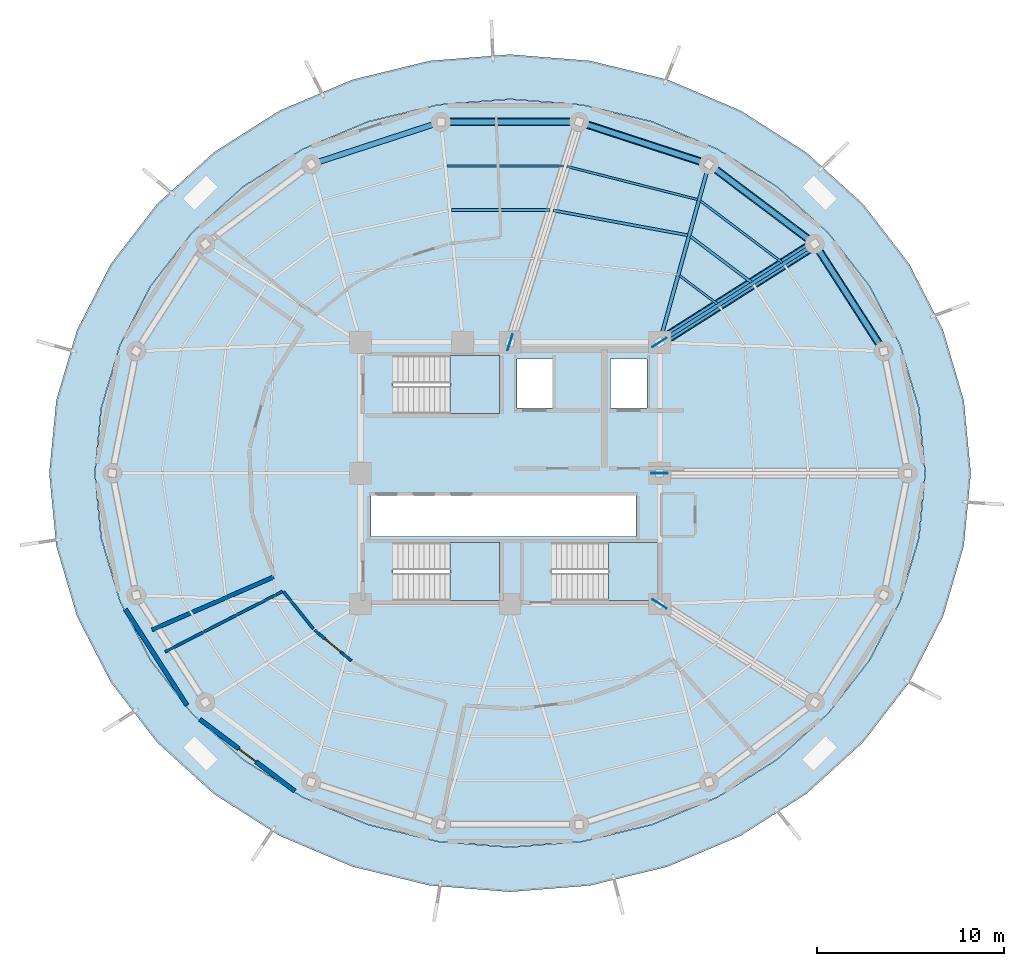
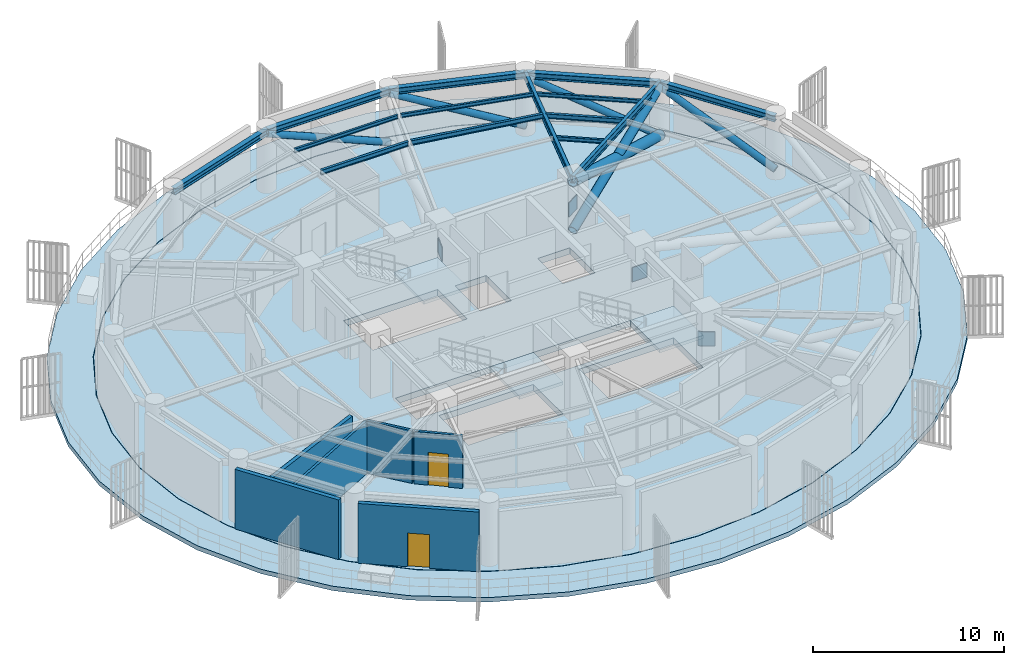
# One storey, part 3 of 10: 14 beams, 6 members, 6 walls, 5 slabs, 4 plates, 2 doors, 2 openings, 3 elements without a shape of their own.
"""IFC4 building model written with IfcOpenShell, lengths in metres."""

import ifcopenshell
import ifcopenshell.guid

model = None  # the IFC model being written
_history = None  # IfcOwnerHistory: only IFC2X3 demands one
_inside = {}  # id of a spatial element -> (the spatial element, [elements in it])
_under = {}  # id of a project, library or spatial element -> (it, [spatial elements below it])
_declared = {}  # id of a project -> (the project, [libraries it declares])
_typed = {}  # id of a type object -> (the type object, [elements of that type])
_made_of = {}  # id of a material, layer set ... -> (it, [elements and type objects made of it])


def new_model(schema):
    """Start an empty IFC model of exactly this schema.

    Asked for "IFC4X3", IfcOpenShell would pick the latest addendum, in which some entities
    have other attributes; the version numbers below select the first issue.
    IFC2X3 requires an IfcOwnerHistory on every rooted entity: one is made here for all.
    """
    global model, _history
    if schema == "IFC4X3":
        model = ifcopenshell.file(schema_version=(4, 3, 0, 0))
    else:
        model = ifcopenshell.file(schema=schema)
    _inside.clear()
    _under.clear()
    _declared.clear()
    _typed.clear()
    _made_of.clear()
    _history = None
    if model.schema == "IFC2X3":
        org = make("IfcOrganization", Name="unknown")
        user = make(
            "IfcPersonAndOrganization",
            ThePerson=make("IfcPerson", FamilyName="unknown"),
            TheOrganization=org,
        )
        app = make(
            "IfcApplication",
            ApplicationDeveloper=org,
            Version="unknown",
            ApplicationFullName="unknown",
            ApplicationIdentifier="unknown",
        )
        _history = make(
            "IfcOwnerHistory",
            OwningUser=user,
            OwningApplication=app,
            ChangeAction="ADDED",
            CreationDate=0,
        )
    return model


def make(cls, **values):
    """One entity of the class cls with the attributes given. An attribute that is None is left unset."""
    return model.create_entity(
        cls, **{name: value for name, value in values.items() if value is not None}
    )


def rooted(cls, **values):
    """An entity with a GlobalId (a new one), such as an element, a storey or a relation."""
    return make(cls, GlobalId=ifcopenshell.guid.new(), OwnerHistory=_history, **values)


def si_unit(unit_type, name, prefix=None):
    """IfcSIUnit, for example si_unit("LENGTHUNIT", "METRE", prefix="MILLI")."""
    return make("IfcSIUnit", UnitType=unit_type, Prefix=prefix, Name=name)


def assignment(units):
    """IfcUnitAssignment: the units of a project."""
    return None if units is None else make("IfcUnitAssignment", Units=units)


def point(xyz):
    """IfcCartesianPoint."""
    return None if xyz is None else make("IfcCartesianPoint", Coordinates=xyz)


def direction(xyz):
    """IfcDirection."""
    return None if xyz is None else make("IfcDirection", DirectionRatios=xyz)


def frame(location, z_axis=None, x_axis=None):
    """IfcAxis2Placement3D, a coordinate frame: its origin and axes. An axis left out is left unset."""
    return make(
        "IfcAxis2Placement3D",
        Location=point(location),
        Axis=direction(z_axis),
        RefDirection=direction(x_axis),
    )


def frame_2d(location, x_axis=None):
    """IfcAxis2Placement2D, a coordinate frame in the plane: its origin and x axis."""
    return make(
        "IfcAxis2Placement2D", Location=point(location), RefDirection=direction(x_axis)
    )


def origin():
    """The frame at (0, 0, 0) with its axes left unset."""
    return frame((0.0, 0.0, 0.0))


def origin_2d():
    """The frame at (0, 0) in the plane with its x axis left unset."""
    return frame_2d((0.0, 0.0))


def place(relative_to, where):
    """IfcLocalPlacement: puts the frame where relative to a parent placement (None: the world)."""
    return make(
        "IfcLocalPlacement", PlacementRelTo=relative_to, RelativePlacement=where
    )


def context(
    kind, dimensions, precision=None, world=None, true_north=None, identifier=None
):
    """IfcGeometricRepresentationContext, for example the 3D "Model" context."""
    return make(
        "IfcGeometricRepresentationContext",
        ContextIdentifier=identifier,
        ContextType=kind,
        CoordinateSpaceDimension=dimensions,
        Precision=precision,
        WorldCoordinateSystem=world,
        TrueNorth=true_north,
    )


def subcontext(parent, identifier, kind, view, scale=None):
    """IfcGeometricRepresentationSubContext, for example "Body" below "Model"."""
    return make(
        "IfcGeometricRepresentationSubContext",
        ContextIdentifier=identifier,
        ContextType=kind,
        ParentContext=parent,
        TargetScale=scale,
        TargetView=view,
    )


def project(units=None, contexts=None):
    """IfcProject with its units and contexts."""
    return rooted(
        "IfcProject",
        Name="project",
        RepresentationContexts=contexts,
        UnitsInContext=assignment(units),
    )


def spatial(cls, under=None, at=None, **own):
    """A site, building, storey or space (cls), placed at a placement, below another one or the project."""
    s = rooted(cls, ObjectPlacement=at, **own)
    if under is not None:
        _under.setdefault(under.id(), (under, []))[1].append(s)
    return s


def polyline(points):
    """IfcPolyline through the points."""
    return make("IfcPolyline", Points=[point(p) for p in points])


def profile(cls, at=None, kind="AREA", **sizes):
    """A parametric profile (cls). Its sizes go by their IFC names, for example OverallWidth=200.0."""
    return make(cls, ProfileType=kind, Position=at, **sizes)


def rectangle(**sizes):
    """IfcRectangleProfileDef."""
    return profile("IfcRectangleProfileDef", **sizes)


def hollow_circle(**sizes):
    """IfcCircleHollowProfileDef."""
    return profile("IfcCircleHollowProfileDef", **sizes)


def i_section(**sizes):
    """IfcIShapeProfileDef."""
    return profile("IfcIShapeProfileDef", **sizes)


def outline(outer, holes=None, kind="AREA"):
    """IfcArbitraryClosedProfileDef: a profile drawn as a closed curve; with holes, ...WithVoids."""
    if holes is None:
        return make("IfcArbitraryClosedProfileDef", ProfileType=kind, OuterCurve=outer)
    return make(
        "IfcArbitraryProfileDefWithVoids",
        ProfileType=kind,
        OuterCurve=outer,
        InnerCurves=holes,
    )


def extrude(swept, where, along, depth):
    """IfcExtrudedAreaSolid: the profile swept, set in the frame where, extruded along a direction by depth."""
    return make(
        "IfcExtrudedAreaSolid",
        SweptArea=swept,
        Position=where,
        ExtrudedDirection=direction(along),
        Depth=depth,
    )


def shape(context_of_items, identifier, shape_type, items):
    """IfcShapeRepresentation: the items that make up one representation, for example the "Body"."""
    return make(
        "IfcShapeRepresentation",
        ContextOfItems=context_of_items,
        RepresentationIdentifier=identifier,
        RepresentationType=shape_type,
        Items=items,
    )


def source(mapping_origin, context_of_items, identifier, shape_type, items):
    """IfcRepresentationMap: a shape defined once, which mapped items show again and again."""
    return make(
        "IfcRepresentationMap",
        MappingOrigin=mapping_origin,
        MappedRepresentation=shape(context_of_items, identifier, shape_type, items),
    )


def transform(
    local_origin,
    x_axis=None,
    y_axis=None,
    z_axis=None,
    scale=None,
    scale2=None,
    scale3=None,
    uniform=True,
):
    """IfcCartesianTransformationOperator3D, or its non-uniform kind. x_axis, y_axis, z_axis: its Axis1, 2, 3."""
    if uniform:
        return make(
            "IfcCartesianTransformationOperator3D",
            Axis1=direction(x_axis),
            Axis2=direction(y_axis),
            LocalOrigin=point(local_origin),
            Scale=scale,
            Axis3=direction(z_axis),
        )
    return make(
        "IfcCartesianTransformationOperator3DnonUniform",
        Axis1=direction(x_axis),
        Axis2=direction(y_axis),
        LocalOrigin=point(local_origin),
        Scale=scale,
        Axis3=direction(z_axis),
        Scale2=scale2,
        Scale3=scale3,
    )


def mapped(mapping_source, mapping_target):
    """IfcMappedItem: shows the shape of a source again, moved by a transform."""
    return make(
        "IfcMappedItem", MappingSource=mapping_source, MappingTarget=mapping_target
    )


def material(Name=None, Category=None):
    """IfcMaterial."""
    return make("IfcMaterial", Name=Name, Category=Category)


def layer(
    of_material, thickness, ventilated=None, Name=None, Category=None, Priority=None
):
    """IfcMaterialLayer: one layer of a wall or slab, of a material (None: an air gap)."""
    return make(
        "IfcMaterialLayer",
        Material=of_material,
        LayerThickness=thickness,
        IsVentilated=ventilated,
        Name=Name,
        Category=Category,
        Priority=Priority,
    )


def layer_set(layers, Name=None):
    """IfcMaterialLayerSet."""
    return make("IfcMaterialLayerSet", MaterialLayers=layers, LayerSetName=Name)


def material_profile(
    of_material, cross_section, Name=None, Category=None, Priority=None
):
    """IfcMaterialProfile: a cross section and its material."""
    return make(
        "IfcMaterialProfile",
        Name=Name,
        Material=of_material,
        Profile=cross_section,
        Priority=Priority,
        Category=Category,
    )


def profile_set(profiles, Name=None, composite=None):
    """IfcMaterialProfileSet."""
    return make(
        "IfcMaterialProfileSet",
        Name=Name,
        MaterialProfiles=profiles,
        CompositeProfile=composite,
    )


def made_of(thing, what):
    """Note that an element or type object is made of a material, layer set ...; save() writes the relation."""
    if what is not None:
        _made_of.setdefault(what.id(), (what, []))[1].append(thing)
    return thing


def type_object(cls, material=None, **own):
    """A type object (cls), such as IfcWallType, which elements share."""
    return made_of(rooted(cls, **own), material)


def element(
    cls,
    number,
    at=None,
    inside=None,
    cuts=None,
    type_object=None,
    material=None,
    context=None,
    identifier="Body",
    shape_type=None,
    held_by="IfcProductDefinitionShape",
    body=None,
    shapes=None,
    **own,
):
    """One element of the class cls, such as IfcWall. Its Tag is "e" and its number.

    at: its placement. inside: the storey or other place that contains it. cuts: it is an
    opening in that element (IfcRelVoidsElement). A single representation is given by context,
    identifier, shape_type and body (its items); several are given by shapes. held_by: the class
    of the entity that holds the representations. save() writes the other relations.
    """
    e = rooted(cls, Tag="e%d" % number, ObjectPlacement=at, **own)
    if body is not None:
        shapes = [shape(context, identifier, shape_type, body)]
    if shapes is not None:
        e.Representation = make(held_by, Representations=shapes)
    if inside is not None:
        _inside.setdefault(inside.id(), (inside, []))[1].append(e)
    if cuts is not None:
        rooted(
            "IfcRelVoidsElement", RelatingBuildingElement=cuts, RelatedOpeningElement=e
        )
    if type_object is not None:
        _typed.setdefault(type_object.id(), (type_object, []))[1].append(e)
    return made_of(e, material)


def fill(opening, filler):
    """IfcRelFillsElement: the door or window that sits in an opening."""
    return rooted(
        "IfcRelFillsElement",
        RelatingOpeningElement=opening,
        RelatedBuildingElement=filler,
    )


def aggregate(whole, parts):
    """IfcRelAggregates: a whole, such as a stair, and the parts it consists of."""
    return rooted("IfcRelAggregates", RelatingObject=whole, RelatedObjects=parts)


def save(model, path):
    """Write the relations noted so far, then the file.

    IfcRelAggregates (storeys below a building ...), IfcRelContainedInSpatialStructure (elements
    in a storey), IfcRelDefinesByType, IfcRelAssociatesMaterial and IfcRelDeclares: one each for
    every whole, place, type object, material and project.
    """
    for whole, parts in _under.values():
        aggregate(whole, parts)
    for where, things in _inside.values():
        rooted(
            "IfcRelContainedInSpatialStructure",
            RelatedElements=things,
            RelatingStructure=where,
        )
    for kind, things in _typed.values():
        rooted("IfcRelDefinesByType", RelatedObjects=things, RelatingType=kind)
    for what, things in _made_of.values():
        rooted("IfcRelAssociatesMaterial", RelatedObjects=things, RelatingMaterial=what)
    for by, libraries in _declared.values():
        rooted("IfcRelDeclares", RelatingContext=by, RelatedDefinitions=libraries)
    model.write(path)


model = new_model("IFC4")

# Units and contexts
model_context = context("Model", 3, precision=1e-05, world=origin(), true_north=direction((0.0, 1.0)))
body_context = subcontext(model_context, "Body", "Model", "MODEL_VIEW")
ifc_project = project(units=[si_unit("LENGTHUNIT", "METRE"), si_unit("AREAUNIT", "SQUARE_METRE"), si_unit("VOLUMEUNIT", "CUBIC_METRE"), si_unit("PLANEANGLEUNIT", "RADIAN"), si_unit("MASSUNIT", "GRAM", prefix="KILO")], contexts=[model_context])

# Site, building, storey
site_placement = place(None, origin())
site = spatial("IfcSite", under=ifc_project, at=site_placement, CompositionType="ELEMENT")
building_placement = place(site_placement, origin())
building = spatial("IfcBuilding", under=site, at=building_placement, Name="Kelanora Arch Commons", CompositionType="ELEMENT")
storey_placement = place(building_placement, frame((0.0, 0.0, 189.110107421875)))
storey = spatial("IfcBuildingStorey", under=building, at=storey_placement, Name="L48", CompositionType="ELEMENT", Elevation=189.110107421875)

# Beams
ifc_material_1 = material(Name="Steel S355", Category="steel")
ifc_material_profile_1 = material_profile(ifc_material_1, i_section(OverallWidth=0.14990234375, OverallDepth=0.300048828125, WebThickness=0.007080078125, FlangeThickness=0.0107421875, FilletRadius=0.014892578125, at=origin_2d()), Name="IPE300")
ifc_profile_set_1 = profile_set([ifc_material_profile_1], Name="Steel S355")
beam_type_1 = type_object("IfcBeamType", Name="BM-JST-01", PredefinedType="JOIST", material=ifc_profile_set_1)
beam_1_placement = place(storey_placement, frame((86.912841796875, 68.209716796875, 3.679931640625), z_axis=(-0.799101708656, 0.601195857624, 0.0), x_axis=(-0.601195857624, -0.799101708656, 0.0)))
element("IfcBeam", 1, at=beam_1_placement, inside=storey, type_object=beam_type_1, Name="Secondary Chord Joist BJB-04 L48", PredefinedType="JOIST", context=body_context, shape_type="SweptSolid", body=[
    extrude(i_section(OverallWidth=0.14990234375, OverallDepth=0.300048828125, WebThickness=0.007080078125, FlangeThickness=0.0107421875, FilletRadius=0.014892578125, at=origin_2d()), origin(), (0.0, 0.0, 1.0), 4.080810546875),
])
beam_2_placement = place(storey_placement, frame((83.50048828125, 70.729736328125, 3.679931640625), z_axis=(-0.983389964671, 0.181505309519, 0.0), x_axis=(-0.181505309519, -0.983389964671, 0.0)))
element("IfcBeam", 2, at=beam_2_placement, inside=storey, type_object=beam_type_1, Name="Secondary Chord Joist BJB-06 L48", PredefinedType="JOIST", context=body_context, shape_type="SweptSolid", body=[
    extrude(i_section(OverallWidth=0.14990234375, OverallDepth=0.300048828125, WebThickness=0.007080078125, FlangeThickness=0.0107421875, FilletRadius=0.014892578125, at=origin_2d()), origin(), (0.0, 0.0, 1.0), 7.3212890625),
])
beam_3_placement = place(storey_placement, frame((76.132080078125, 72.07421875, 3.679931640625), z_axis=(-1.0, 0.0, 0.0), x_axis=(0.0, -1.0, 0.0)))
element("IfcBeam", 3, at=beam_3_placement, inside=storey, type_object=beam_type_1, Name="Secondary Chord Joist BJB-08 L48", PredefinedType="JOIST", context=body_context, shape_type="SweptSolid", body=[
    extrude(i_section(OverallWidth=0.14990234375, OverallDepth=0.300048828125, WebThickness=0.007080078125, FlangeThickness=0.0107421875, FilletRadius=0.014892578125, at=origin_2d()), origin(), (0.0, 0.0, 1.0), 5.272216796875),
])
ifc_material_profile_2 = material_profile(ifc_material_1, i_section(OverallWidth=0.1201171875, OverallDepth=0.239990234375, WebThickness=0.006103515625, FlangeThickness=0.009765625, FilletRadius=0.014892578125, at=origin_2d()), Name="IPE240")
ifc_profile_set_2 = profile_set([ifc_material_profile_2], Name="Steel S355")
beam_type_2 = type_object("IfcBeamType", Name="BM-JST-02", PredefinedType="JOIST", material=ifc_profile_set_2)
beam_4_placement = place(storey_placement, frame((85.086669921875, 67.051513671875, 3.7099609375), z_axis=(-0.79911638933, 0.601176343766, 0.0), x_axis=(-0.601176343766, -0.79911638933, 0.0)))
element("IfcBeam", 4, at=beam_4_placement, inside=storey, type_object=beam_type_2, Name="Secondary Chord Joist BJA-04 L48", PredefinedType="JOIST", context=body_context, shape_type="SweptSolid", body=[
    extrude(i_section(OverallWidth=0.1201171875, OverallDepth=0.239990234375, WebThickness=0.006103515625, FlangeThickness=0.009765625, FilletRadius=0.014892578125, at=origin_2d()), origin(), (0.0, 0.0, 1.0), 2.522216796875),
])
beam_5_placement = place(storey_placement, frame((88.5732421875, 69.2626953125, 3.7099609375), z_axis=(-0.799109197935, 0.601185902842, 0.0), x_axis=(-0.601185902842, -0.799109197935, 0.0)))
element("IfcBeam", 5, at=beam_5_placement, inside=storey, type_object=beam_type_2, Name="Secondary Chord Joist BJC-04 L48", PredefinedType="JOIST", context=body_context, shape_type="SweptSolid", body=[
    extrude(i_section(OverallWidth=0.1201171875, OverallDepth=0.239990234375, WebThickness=0.006103515625, FlangeThickness=0.009765625, FilletRadius=0.014892578125, at=origin_2d()), origin(), (0.0, 0.0, 1.0), 5.497802734375),
])
beam_6_placement = place(storey_placement, frame((84.029541015625, 72.639892578125, 3.7099609375), z_axis=(-0.969370989998, 0.245601066263, 0.0), x_axis=(-0.245601066263, -0.969370989998, 0.0)))
element("IfcBeam", 6, at=beam_6_placement, inside=storey, type_object=beam_type_2, Name="Secondary Chord Joist BJC-06 L48", PredefinedType="JOIST", context=body_context, shape_type="SweptSolid", body=[
    extrude(i_section(OverallWidth=0.1201171875, OverallDepth=0.239990234375, WebThickness=0.006103515625, FlangeThickness=0.009765625, FilletRadius=0.014892578125, at=origin_2d()), origin(), (0.0, 0.0, 1.0), 7.2119140625),
])
beam_7_placement = place(storey_placement, frame((76.87109375, 74.43212890625, 3.7099609375), z_axis=(-1.0, 0.0, 0.0), x_axis=(0.0, -1.0, 0.0)))
element("IfcBeam", 7, at=beam_7_placement, inside=storey, type_object=beam_type_2, Name="Secondary Chord Joist BJC-08 L48", PredefinedType="JOIST", context=body_context, shape_type="SweptSolid", body=[
    extrude(i_section(OverallWidth=0.1201171875, OverallDepth=0.239990234375, WebThickness=0.006103515625, FlangeThickness=0.009765625, FilletRadius=0.014892578125, at=origin_2d()), origin(), (0.0, 0.0, 1.0), 6.246337890625),
])
ifc_material_profile_3 = material_profile(ifc_material_1, i_section(OverallWidth=0.18994140625, OverallDepth=0.449951171875, WebThickness=0.009521484375, FlangeThickness=0.0146484375, FilletRadius=0.02099609375, at=origin_2d()), Name="IPE450")
ifc_profile_set_3 = profile_set([ifc_material_profile_3], Name="Steel S355")
beam_type_3 = type_object("IfcBeamType", Name="BM-RAD-Z4", PredefinedType="BEAM", material=ifc_profile_set_3)
beam_8_placement = place(storey_placement, frame((82.0, 65.0, 3.60498046875), z_axis=(0.844507208607, 0.535544185489, 0.0), x_axis=(-0.535544185489, 0.844507208607, 0.0)))
element("IfcBeam", 8, at=beam_8_placement, inside=storey, type_object=beam_type_3, Name="Radial Floor Girder BR-04 L48", PredefinedType="BEAM", context=body_context, shape_type="SweptSolid", body=[
    extrude(i_section(OverallWidth=0.18994140625, OverallDepth=0.449951171875, WebThickness=0.009521484375, FlangeThickness=0.0146484375, FilletRadius=0.02099609375, at=origin_2d()), origin(), (0.0, 0.0, 1.0), 9.830078125),
])
beam_9_placement = place(storey_placement, frame((82.0, 65.0, 3.60498046875), z_axis=(0.267120164296, 0.963663228429, 0.0), x_axis=(-0.963663228429, 0.267120164296, 0.0)))
element("IfcBeam", 9, at=beam_9_placement, inside=storey, type_object=beam_type_3, Name="Radial Floor Girder BR-06 L48", PredefinedType="BEAM", context=body_context, shape_type="SweptSolid", body=[
    extrude(i_section(OverallWidth=0.18994140625, OverallDepth=0.449951171875, WebThickness=0.009521484375, FlangeThickness=0.0146484375, FilletRadius=0.02099609375, at=origin_2d()), origin(), (0.0, 0.0, 1.0), 9.8828125),
])
ifc_material_profile_4 = material_profile(ifc_material_1, i_section(OverallWidth=0.300048828125, OverallDepth=0.39990234375, WebThickness=0.013427734375, FlangeThickness=0.02392578125, FilletRadius=0.027099609375, at=origin_2d()), Name="HEB400")
ifc_profile_set_4 = profile_set([ifc_material_profile_4], Name="Steel S355")
beam_type_4 = type_object("IfcBeamType", Name="BM-SPN-Z4", PredefinedType="SPANDREL", material=ifc_profile_set_4)
beam_10_placement = place(storey_placement, frame((93.99658203125, 64.525634765625, 3.6298828125), z_axis=(-0.541364878868, 0.840787766281, 0.0), x_axis=(-0.840787766281, -0.541364878868, 0.0)))
element("IfcBeam", 10, at=beam_10_placement, inside=storey, type_object=beam_type_4, Name="Perimeter Spandrel Beam BS-02 L48", PredefinedType="SPANDREL", context=body_context, shape_type="SweptSolid", body=[
    extrude(i_section(OverallWidth=0.300048828125, OverallDepth=0.39990234375, WebThickness=0.013427734375, FlangeThickness=0.02392578125, FilletRadius=0.027099609375, at=origin_2d()), origin(), (0.0, 0.0, 1.0), 6.825439453125),
])
beam_11_placement = place(storey_placement, frame((90.301513671875, 70.264404296875, 3.6298828125), z_axis=(-0.799114211715, 0.60117923836, 0.0), x_axis=(-0.60117923836, -0.799114211715, 0.0)))
element("IfcBeam", 11, at=beam_11_placement, inside=storey, type_object=beam_type_4, Name="Perimeter Spandrel Beam BS-04 L48", PredefinedType="SPANDREL", context=body_context, shape_type="SweptSolid", body=[
    extrude(i_section(OverallWidth=0.300048828125, OverallDepth=0.39990234375, WebThickness=0.013427734375, FlangeThickness=0.02392578125, FilletRadius=0.027099609375, at=origin_2d()), origin(), (0.0, 0.0, 1.0), 7.0849609375),
])
beam_12_placement = place(storey_placement, frame((84.639892578125, 74.523681640625, 3.6298828125), z_axis=(-0.950656361143, 0.310245842872, 0.0), x_axis=(-0.310245842872, -0.950656361143, 0.0)))
element("IfcBeam", 12, at=beam_12_placement, inside=storey, type_object=beam_type_4, Name="Perimeter Spandrel Beam BS-06 L48", PredefinedType="SPANDREL", context=body_context, shape_type="SweptSolid", body=[
    extrude(i_section(OverallWidth=0.300048828125, OverallDepth=0.39990234375, WebThickness=0.013427734375, FlangeThickness=0.02392578125, FilletRadius=0.027099609375, at=origin_2d()), origin(), (0.0, 0.0, 1.0), 7.304931640625),
])
beam_13_placement = place(storey_placement, frame((77.6953125, 76.7900390625, 3.6298828125), z_axis=(-1.0, 0.0, 0.0), x_axis=(0.0, -1.0, 0.0)))
element("IfcBeam", 13, at=beam_13_placement, inside=storey, type_object=beam_type_4, Name="Perimeter Spandrel Beam BS-08 L48", PredefinedType="SPANDREL", context=body_context, shape_type="SweptSolid", body=[
    extrude(i_section(OverallWidth=0.300048828125, OverallDepth=0.39990234375, WebThickness=0.013427734375, FlangeThickness=0.02392578125, FilletRadius=0.027099609375, at=origin_2d()), origin(), (0.0, 0.0, 1.0), 7.390625),
])
beam_14_placement = place(storey_placement, frame((70.3046875, 76.7900390625, 3.6298828125), z_axis=(-0.950656361143, -0.310245842872, 0.0), x_axis=(0.310245842872, -0.950656361143, 0.0)))
element("IfcBeam", 14, at=beam_14_placement, inside=storey, type_object=beam_type_4, Name="Perimeter Spandrel Beam BS-10 L48", PredefinedType="SPANDREL", context=body_context, shape_type="SweptSolid", body=[
    extrude(i_section(OverallWidth=0.300048828125, OverallDepth=0.39990234375, WebThickness=0.013427734375, FlangeThickness=0.02392578125, FilletRadius=0.027099609375, at=origin_2d()), origin(), (0.0, 0.0, 1.0), 7.304931640625),
])

# Members
ifc_material_profile_5 = material_profile(ifc_material_1, hollow_circle(Radius=0.203125, WallThickness=0.02001953125, at=origin_2d()), Name="CHS406.4x20")
ifc_profile_set_5 = profile_set([ifc_material_profile_5], Name="Steel S355")
member_type_1 = type_object("IfcMemberType", Name="MEM-BELT-DIAG", PredefinedType="BRACE", material=ifc_profile_set_5)
member_1_placement = place(storey_placement, frame((93.99658203125, 64.525634765625, 0.349853515625), z_axis=(-0.492086938598, 0.764254745866, 0.416851446301), x_axis=(-0.840787766281, -0.541364878868, 0.0)))
element("IfcMember", 15, at=member_1_placement, inside=storey, type_object=member_type_1, Name="Belt Truss Diagonal MB-02 L48", PredefinedType="BRACE", context=body_context, shape_type="SweptSolid", body=[
    extrude(hollow_circle(Radius=0.203125, WallThickness=0.02001953125, at=origin_2d()), origin(), (0.0, 0.0, 1.0), 7.509033203125),
])
member_2_placement = place(storey_placement, frame((90.301513671875, 70.264404296875, 0.349853515625), z_axis=(-0.730954222273, 0.549901999214, 0.404120917799), x_axis=(-0.60117923836, -0.799114211715, 0.0)))
element("IfcMember", 16, at=member_2_placement, inside=storey, type_object=member_type_1, Name="Belt Truss Diagonal MB-04 L48", PredefinedType="BRACE", context=body_context, shape_type="SweptSolid", body=[
    extrude(hollow_circle(Radius=0.203125, WallThickness=0.02001953125, at=origin_2d()), origin(), (0.0, 0.0, 1.0), 7.74560546875),
])
member_3_placement = place(storey_placement, frame((84.639892578125, 74.523681640625, 0.349853515625), z_axis=(-0.873817195322, 0.285169450665, 0.393855168262), x_axis=(-0.310245842872, -0.950656361143, 0.0)))
element("IfcMember", 17, at=member_3_placement, inside=storey, type_object=member_type_1, Name="Belt Truss Diagonal MB-06 L48", PredefinedType="BRACE", context=body_context, shape_type="SweptSolid", body=[
    extrude(hollow_circle(Radius=0.203125, WallThickness=0.02001953125, at=origin_2d()), origin(), (0.0, 0.0, 1.0), 7.947509765625),
])
member_4_placement = place(storey_placement, frame((77.6953125, 76.7900390625, 0.349853515625), z_axis=(-0.920818566361, 0.0, 0.389991240728), x_axis=(0.0, -1.0, 0.0)))
element("IfcMember", 18, at=member_4_placement, inside=storey, type_object=member_type_1, Name="Belt Truss Diagonal MB-08 L48", PredefinedType="BRACE", context=body_context, shape_type="SweptSolid", body=[
    extrude(hollow_circle(Radius=0.203125, WallThickness=0.02001953125, at=origin_2d()), origin(), (0.0, 0.0, 1.0), 8.026123046875),
])
ifc_material_profile_6 = material_profile(ifc_material_1, hollow_circle(Radius=0.304931640625, WallThickness=0.030029296875, at=origin_2d()), Name="CHS610x30")
ifc_profile_set_6 = profile_set([ifc_material_profile_6], Name="Steel S355")
member_type_2 = type_object("IfcMemberType", Name="MEM-OUT-CHORD", PredefinedType="CHORD", material=ifc_profile_set_6)
member_5_placement = place(storey_placement, frame((82.0, 65.0, 3.47998046875), z_axis=(0.804695982671, 0.510297899431, -0.303414616176), x_axis=(-0.535544185489, 0.844507208607, 0.0)))
element("IfcMember", 19, at=member_5_placement, inside=storey, type_object=member_type_2, Name="Outrigger Counter-Brace MO-04B L48", PredefinedType="CHORD", context=body_context, shape_type="SweptSolid", body=[
    extrude(hollow_circle(Radius=0.304931640625, WallThickness=0.030029296875, at=origin_2d()), origin(), (0.0, 0.0, 1.0), 10.31640625),
])
ifc_material_profile_7 = material_profile(ifc_material_1, hollow_circle(Radius=0.25390625, WallThickness=0.02490234375, at=origin_2d()), Name="CHS508x25")
ifc_profile_set_7 = profile_set([ifc_material_profile_7], Name="Steel S355")
member_type_3 = type_object("IfcMemberType", Name="MEM-OUT-DIAG", PredefinedType="BRACE", material=ifc_profile_set_7)
member_6_placement = place(storey_placement, frame((82.0, 65.0, 0.349853515625), z_axis=(0.804695982671, 0.510297899431, 0.303414616176), x_axis=(-0.535544185489, 0.844507208607, 0.0)))
element("IfcMember", 20, at=member_6_placement, inside=storey, type_object=member_type_3, Name="Outrigger Diagonal MO-04A L48", PredefinedType="BRACE", context=body_context, shape_type="SweptSolid", body=[
    extrude(hollow_circle(Radius=0.25390625, WallThickness=0.02490234375, at=origin_2d()), origin(), (0.0, 0.0, 1.0), 10.31640625),
])

# Slab
ifc_material_2 = material(Name="Concrete C40/50", Category="concrete")
ifc_layer_1 = layer(ifc_material_2, 0.280029296875)
ifc_layer_set_1 = layer_set([ifc_layer_1], Name="Concrete C40/50")
slab_type_1 = type_object("IfcSlabType", Name="SLB-SET-TERR", PredefinedType="FLOOR", material=ifc_layer_set_1)
slab_1_placement = place(storey_placement, frame((0.0, 0.0, -0.280029296875)))
element("IfcSlab", 21, at=slab_1_placement, inside=storey, type_object=slab_type_1, Name="Setback Planted Sky-Terrace Slab L48", PredefinedType="FLOOR", context=body_context, shape_type="SweptSolid", body=[
    extrude(outline(polyline([(98.64990234375, 58.0), (98.275390625, 61.8896484375), (97.163330078125, 65.661376953125), (95.347412109375, 69.199951171875), (92.883056640625, 72.3984375), (89.8447265625, 75.159423828125), (86.324951171875, 77.39892578125), (82.430908203125, 79.049072265625), (78.280517578125, 80.059814453125), (74.0, 80.39990234375), (69.719482421875, 80.059814453125), (65.569091796875, 79.049072265625), (61.675048828125, 77.39892578125), (58.1552734375, 75.159423828125), (55.116943359375, 72.3984375), (52.652587890625, 69.199951171875), (50.836669921875, 65.661376953125), (49.724609375, 61.8896484375), (49.35009765625, 58.0), (49.724609375, 54.1103515625), (50.836669921875, 50.338623046875), (52.652587890625, 46.800048828125), (55.116943359375, 43.6015625), (58.1552734375, 40.840576171875), (61.675048828125, 38.60107421875), (65.569091796875, 36.950927734375), (69.719482421875, 35.940185546875), (74.0, 35.60009765625), (78.280517578125, 35.940185546875), (82.430908203125, 36.950927734375), (86.324951171875, 38.60107421875), (89.8447265625, 40.840576171875), (92.883056640625, 43.6015625), (95.347412109375, 46.800048828125), (97.163330078125, 50.338623046875), (98.275390625, 54.1103515625), (98.64990234375, 58.0)]), holes=[polyline([(95.88232421875, 54.523681640625), (94.8798828125, 51.15283203125), (93.2431640625, 47.989990234375), (91.021484375, 45.13134765625), (88.28271484375, 42.663818359375), (85.110107421875, 40.662109375), (81.599609375, 39.1875), (77.8583984375, 38.2841796875), (74.0, 37.97998046875), (70.1416015625, 38.2841796875), (66.400390625, 39.1875), (62.889892578125, 40.662109375), (59.71728515625, 42.663818359375), (56.978515625, 45.13134765625), (54.7568359375, 47.989990234375), (53.1201171875, 51.15283203125), (52.11767578125, 54.523681640625), (51.780029296875, 58.0), (52.11767578125, 61.476318359375), (53.1201171875, 64.84716796875), (54.7568359375, 68.010009765625), (56.978515625, 70.86865234375), (59.71728515625, 73.336181640625), (62.889892578125, 75.337890625), (66.400390625, 76.8125), (70.1416015625, 77.7158203125), (74.0, 78.02001953125), (77.8583984375, 77.7158203125), (81.599609375, 76.8125), (85.110107421875, 75.337890625), (88.28271484375, 73.336181640625), (91.021484375, 70.86865234375), (93.2431640625, 68.010009765625), (94.8798828125, 64.84716796875), (95.88232421875, 61.476318359375), (96.219970703125, 58.0), (95.88232421875, 54.523681640625)])]), origin(), (0.0, 0.0, 1.0), 0.280029296875),
])

# Stair, slab
stair_type = type_object("IfcStairType", Name="STR-DL-409", PredefinedType="HALF_TURN_STAIR", material=ifc_material_2)
stair_1_placement = place(storey_placement, origin())
stair_1 = element("IfcStair", 22, at=stair_1_placement, inside=storey, type_object=stair_type, Name="L48 ST-T1", PredefinedType="HALF_TURN_STAIR")
ifc_layer_2 = layer(ifc_material_2, 0.199951171875)
ifc_layer_set_2 = layer_set([ifc_layer_2], Name="Concrete C40/50")
slab_type_2 = type_object("IfcSlabType", Name="SLB-STAIR-LND", PredefinedType="LANDING", material=ifc_layer_set_2)
slab_2_placement = place(storey_placement, frame((0.0, 0.0, 1.844970703125)))
slab_2 = element("IfcSlab", 23, at=slab_2_placement, type_object=slab_type_2, Name="ST-T1 landing 1", PredefinedType="LANDING", context=body_context, shape_type="SweptSolid", body=[
    extrude(outline(polyline([(70.800048828125, 61.179931640625), (73.43994140625, 61.179931640625), (73.43994140625, 64.2900390625), (70.800048828125, 64.2900390625), (70.800048828125, 61.179931640625)])), origin(), (0.0, 0.0, 1.0), 0.199951171875),
])
aggregate(stair_1, [slab_2])

stair_2_placement = place(storey_placement, origin())
stair_2 = element("IfcStair", 24, at=stair_2_placement, inside=storey, type_object=stair_type, Name="L48 ST-T2", PredefinedType="HALF_TURN_STAIR")
slab_3_placement = place(storey_placement, frame((0.0, 0.0, 1.844970703125)))
slab_3 = element("IfcSlab", 25, at=slab_3_placement, type_object=slab_type_2, Name="ST-T2 landing 1", PredefinedType="LANDING", context=body_context, shape_type="SweptSolid", body=[
    extrude(outline(polyline([(79.280029296875, 51.179931640625), (81.919921875, 51.179931640625), (81.919921875, 54.2900390625), (79.280029296875, 54.2900390625), (79.280029296875, 51.179931640625)])), origin(), (0.0, 0.0, 1.0), 0.199951171875),
])
aggregate(stair_2, [slab_3])

stair_3_placement = place(storey_placement, origin())
stair_3 = element("IfcStair", 26, at=stair_3_placement, inside=storey, type_object=stair_type, Name="L48 ST-T3", PredefinedType="HALF_TURN_STAIR")
slab_4_placement = place(storey_placement, frame((0.0, 0.0, 1.844970703125)))
slab_4 = element("IfcSlab", 27, at=slab_4_placement, type_object=slab_type_2, Name="ST-T3 landing 1", PredefinedType="LANDING", context=body_context, shape_type="SweptSolid", body=[
    extrude(outline(polyline([(70.800048828125, 51.179931640625), (73.43994140625, 51.179931640625), (73.43994140625, 54.2900390625), (70.800048828125, 54.2900390625), (70.800048828125, 51.179931640625)])), origin(), (0.0, 0.0, 1.0), 0.199951171875),
])
aggregate(stair_3, [slab_4])

# Slab
ifc_material_3 = material(Name="Concrete C50/60", Category="concrete")
ifc_layer_3 = layer(ifc_material_3, 0.39990234375)
ifc_layer_set_3 = layer_set([ifc_layer_3], Name="Concrete C50/60")
slab_type_3 = type_object("IfcSlabType", Name="SLB-TWR-XFER", PredefinedType="FLOOR", material=ifc_layer_set_3)
slab_5_placement = place(storey_placement, frame((0.0, 0.0, -0.400146484375)))
element("IfcSlab", 28, at=slab_5_placement, inside=storey, type_object=slab_type_3, Name="Tower Floor Slab L48", PredefinedType="FLOOR", context=body_context, shape_type="SweptSolid", body=[
    extrude(outline(polyline([(96.199951171875, 58.0), (95.86279296875, 61.472900390625), (94.861083984375, 64.84033203125), (93.225830078125, 68.0), (91.006103515625, 70.855712890625), (88.27001953125, 73.32080078125), (85.10009765625, 75.320556640625), (81.5927734375, 76.7939453125), (77.85498046875, 77.6962890625), (74.0, 78.0), (70.14501953125, 77.6962890625), (66.4072265625, 76.7939453125), (62.89990234375, 75.320556640625), (59.72998046875, 73.32080078125), (56.993896484375, 70.855712890625), (54.774169921875, 68.0), (53.138916015625, 64.84033203125), (52.13720703125, 61.472900390625), (51.800048828125, 58.0), (52.13720703125, 54.527099609375), (53.138916015625, 51.15966796875), (54.774169921875, 48.0), (56.993896484375, 45.144287109375), (59.72998046875, 42.67919921875), (62.89990234375, 40.679443359375), (66.4072265625, 39.2060546875), (70.14501953125, 38.3037109375), (74.0, 38.0), (77.85498046875, 38.3037109375), (81.5927734375, 39.2060546875), (85.10009765625, 40.679443359375), (88.27001953125, 42.67919921875), (91.006103515625, 45.144287109375), (93.225830078125, 48.0), (94.861083984375, 51.15966796875), (95.86279296875, 54.527099609375), (96.199951171875, 58.0)]), holes=[polyline([(73.431884765625, 51.18798828125), (67.72802734375, 51.18798828125), (67.72802734375, 54.281982421875), (73.431884765625, 54.281982421875), (73.431884765625, 51.18798828125)]), polyline([(76.2080078125, 51.18798828125), (76.2080078125, 54.281982421875), (81.912109375, 54.281982421875), (81.912109375, 51.18798828125), (76.2080078125, 51.18798828125)]), polyline([(66.550048828125, 54.60009765625), (66.550048828125, 56.800048828125), (80.75, 56.800048828125), (80.75, 54.60009765625), (66.550048828125, 54.60009765625)]), polyline([(73.431884765625, 61.18798828125), (67.72802734375, 61.18798828125), (67.72802734375, 64.281982421875), (73.431884765625, 64.281982421875), (73.431884765625, 61.18798828125)]), polyline([(74.3798828125, 61.47998046875), (74.3798828125, 64.1201171875), (76.260009765625, 64.1201171875), (76.260009765625, 61.47998046875), (74.3798828125, 61.47998046875)]), polyline([(79.3798828125, 61.47998046875), (79.3798828125, 64.1201171875), (81.320068359375, 64.1201171875), (81.320068359375, 61.47998046875), (79.3798828125, 61.47998046875)])]), origin(), (0.0, 0.0, 1.0), 0.400146484375),
])

# Plates
ifc_layer_4 = layer(ifc_material_1, 0.0400390625)
ifc_layer_set_4 = layer_set([ifc_layer_4], Name="Steel S355")
plate_type = type_object("IfcPlateType", Name="PLT-OUT-GUS", PredefinedType="SHEET", material=ifc_layer_set_4)
shared_shape = source(origin(), body_context, "Body", "SweptSolid", [
    extrude(rectangle(XDim=0.89990234375, YDim=0.0400390625, at=origin_2d()), origin(), (0.0, 0.0, 1.0), 0.89990234375),
])
for number, where, z_axis, x_axis, name in (
    (29, (82.0, 51.0, 1.46484375), (0.0, 0.0, 1.0), (0.844504089682, -0.535549103733, 0.0), "Outrigger Gusset Plate 32 L48"),
    (30, (82.0, 58.0, 1.46484375), (0.0, 0.0, 1.0), (1.0, 0.0, 0.0), "Outrigger Gusset Plate 00 L48"),
    (31, (82.0, 65.0, 1.46484375), (0.0, 0.0, 1.0), (0.844504089682, 0.535549103733, 0.0), "Outrigger Gusset Plate 04 L48"),
    (32, (74.0, 65.0, 1.46484375), (0.0, 0.0, 1.0), (0.299070759211, 0.954230936925, 0.0), "Outrigger Gusset Plate 08 L48"),
):
    element("IfcPlate", number, at=place(storey_placement, frame(where, z_axis=z_axis, x_axis=x_axis)), inside=storey, type_object=plate_type, Name=name, PredefinedType="SHEET", context=body_context, shape_type="MappedRepresentation", body=[
        mapped(shared_shape, transform((0.0, 0.0, 0.0), scale=1.0)),
    ])

# Wall, opening, door
ifc_material_4 = material(Name="Autoclaved aerated concrete blockwork with fire plaster", Category="masonry")
ifc_layer_5 = layer(ifc_material_4, 0.14990234375)
ifc_layer_set_5 = layer_set([ifc_layer_5], Name="Autoclaved aerated concrete blockwork with fire plaster")
wall_type_1 = type_object("IfcWallType", Name="W-COMP-150", PredefinedType="PARTITIONING", material=ifc_layer_set_5)
wall_1_placement = place(storey_placement, frame((63.546142578125, 49.599609375, 0.0), z_axis=(0.0, 0.0, 1.0), x_axis=(0.768626986837, -0.639697237063, 0.0)))
wall_1 = element("IfcWall", 33, at=wall_1_placement, inside=storey, type_object=wall_type_1, Name="Domestic Booster Pump and Electrical Switchroom L48 Entry Partition", PredefinedType="PARTITIONING", context=body_context, shape_type="SweptSolid", body=[
    extrude(rectangle(XDim=2.56396484375, YDim=0.14990234375, at=frame_2d((1.281982421875, 0.0))), origin(), (0.0, 0.0, 1.0), 3.364990234375),
])
opening_1_placement = place(wall_1_placement, frame((0.741943359375, 0.0, 0.0)))
opening_1 = element("IfcOpeningElement", 34, at=opening_1_placement, cuts=wall_1, Name="Opening D-PLT1", PredefinedType="OPENING", context=body_context, shape_type="SweptSolid", body=[
    extrude(rectangle(XDim=1.080078125, YDim=2.10009765625, at=frame_2d((0.5400390625, 1.050048828125))), frame((0.0, 0.0849609375, 0.0), z_axis=(0.0, -1.0, 0.0), x_axis=(1.0, 0.0, 0.0)), (0.0, 0.0, 1.0), 0.169921875),
])
ifc_material_5 = material(Name="Galvanised steel plant and riser fire door", Category="steel")
door_type_1 = type_object("IfcDoorType", Name="D-PLT-110", OperationType="NOTDEFINED", PredefinedType="DOOR", material=ifc_material_5)
door_1_placement = place(opening_1_placement, origin())
door_1 = element("IfcDoor", 35, at=door_1_placement, inside=storey, type_object=door_type_1, Name="Domestic Booster Pump and Electrical Switchroom L48 Door", OperationType="SINGLE_SWING_RIGHT", OverallHeight=2.10009765625, OverallWidth=1.080078125, PredefinedType="DOOR", context=body_context, shape_type="SweptSolid", body=[
    extrude(rectangle(XDim=1.080078125, YDim=2.10009765625, at=frame_2d((0.5400390625, 1.050048828125))), frame((0.0, 0.02490234375, 0.0), z_axis=(0.0, -1.0, 0.0), x_axis=(1.0, 0.0, 0.0)), (0.0, 0.0, 1.0), 0.050048828125),
])
fill(opening_1, door_1)

# Walls
wall_2_placement = place(storey_placement, frame((61.883056640625, 51.65869140625, 0.0), z_axis=(0.0, 0.0, 1.0), x_axis=(0.62480020311, -0.780784673385, 0.0)))
element("IfcWall", 36, at=wall_2_placement, inside=storey, type_object=wall_type_1, Name="Domestic Booster Pump and Electrical Switchroom L48 Enclosure Partition 1", PredefinedType="PARTITIONING", context=body_context, shape_type="SweptSolid", body=[
    extrude(rectangle(XDim=2.548095703125, YDim=0.14990234375, at=frame_2d((1.27392578125, 0.0))), origin(), (0.0, 0.0, 1.0), 3.364990234375),
])
wall_3_placement = place(storey_placement, frame((55.545654296875, 48.443359375, 0.0), z_axis=(0.0, 0.0, 1.0), x_axis=(0.889277753714, 0.457367551045, 0.0)))
element("IfcWall", 37, at=wall_3_placement, inside=storey, type_object=wall_type_1, Name="Domestic Booster Pump and Electrical Switchroom L48 Enclosure Partition 10", PredefinedType="PARTITIONING", context=body_context, shape_type="SweptSolid", body=[
    extrude(rectangle(XDim=7.058349609375, YDim=0.14990234375, at=frame_2d((3.529296875, 0.0))), origin(), (0.0, 0.0, 1.0), 3.364990234375),
])
ifc_material_6 = material(Name="Precast concrete C40/50 upper-zone terracotta rainscreen", Category="masonry")
ifc_layer_6 = layer(ifc_material_6, 0.239990234375)
ifc_layer_set_6 = layer_set([ifc_layer_6], Name="Precast concrete C40/50 upper-zone terracotta rainscreen")
wall_type_2 = type_object("IfcWallType", Name="W-EXT-TC2", PredefinedType="SOLIDWALL", material=ifc_layer_set_6)
wall_4_placement = place(storey_placement, frame((53.41943359375, 50.7216796875, 0.0), z_axis=(0.0, 0.0, 1.0), x_axis=(0.539556360139, -0.841949484371, 0.0)))
element("IfcWall", 38, at=wall_4_placement, inside=storey, type_object=wall_type_2, Name="Mechanical Louvre Precast Backing Wall L48-11", PredefinedType="SOLIDWALL", context=body_context, shape_type="SweptSolid", body=[
    extrude(rectangle(XDim=6.1044921875, YDim=0.239990234375, at=frame_2d((3.05224609375, 0.0))), origin(), (0.0, 0.0, 1.0), 3.81494140625),
])

# Wall, opening, door
wall_5_placement = place(storey_placement, frame((57.40869140625, 44.83056640625, 0.0), z_axis=(0.0, 0.0, 1.0), x_axis=(0.797724599481, -0.603021942704, 0.0)))
wall_5 = element("IfcWall", 39, at=wall_5_placement, inside=storey, type_object=wall_type_2, Name="Mechanical Louvre Precast Backing Wall L48-12", PredefinedType="SOLIDWALL", context=body_context, shape_type="SweptSolid", body=[
    extrude(rectangle(XDim=6.363525390625, YDim=0.239990234375, at=frame_2d((3.181640625, 0.0))), origin(), (0.0, 0.0, 1.0), 3.81494140625),
])
opening_2_placement = place(wall_5_placement, frame((2.60693359375, 0.0, 0.0)))
opening_2 = element("IfcOpeningElement", 40, at=opening_2_placement, cuts=wall_5, Name="Opening DT-01", PredefinedType="OPENING", context=body_context, shape_type="SweptSolid", body=[
    extrude(rectangle(XDim=1.14990234375, YDim=2.14990234375, at=frame_2d((0.574951171875, 1.074951171875))), frame((0.0, 0.1298828125, 0.0), z_axis=(0.0, -1.0, 0.0), x_axis=(1.0, 0.0, 0.0)), (0.0, 0.0, 1.0), 0.260009765625),
])
ifc_material_7 = material(Name="Weather-sealed aluminium terrace door", Category="aluminium")
door_type_2 = type_object("IfcDoorType", Name="D-TERR-12", OperationType="NOTDEFINED", PredefinedType="DOOR", material=ifc_material_7)
door_2_placement = place(opening_2_placement, frame((1.14990234375, 0.0, 0.0), z_axis=(0.0, 0.0, 1.0), x_axis=(-1.0, 0.0, 0.0)))
door_2 = element("IfcDoor", 41, at=door_2_placement, inside=storey, type_object=door_type_2, Name="Setback Terrace Maintenance Door L48-11", OperationType="SINGLE_SWING_RIGHT", OverallHeight=2.14990234375, OverallWidth=1.14990234375, PredefinedType="DOOR", context=body_context, shape_type="SweptSolid", body=[
    extrude(rectangle(XDim=1.14990234375, YDim=2.14990234375, at=frame_2d((0.574951171875, 1.074951171875))), frame((0.0, 0.02490234375, 0.0), z_axis=(0.0, -1.0, 0.0), x_axis=(1.0, 0.0, 0.0)), (0.0, 0.0, 1.0), 0.050048828125),
])
fill(opening_2, door_2)

# Wall
ifc_layer_7 = layer(ifc_material_2, 0.219970703125)
ifc_layer_set_7 = layer_set([ifc_layer_7], Name="Concrete C40/50")
wall_type_3 = type_object("IfcWallType", Name="W-REF-200", PredefinedType="SOLIDWALL", material=ifc_layer_set_7)
wall_6_placement = place(storey_placement, frame((61.3623046875, 52.4521484375, 0.0), z_axis=(0.0, 0.0, 1.0), x_axis=(-0.917129606151, -0.398589118668, 0.0)))
element("IfcWall", 42, at=wall_6_placement, inside=storey, type_object=wall_type_3, Name="Protected Fire Refuge Holding Area L48-West Enclosure Partition 5", PredefinedType="SOLIDWALL", context=body_context, shape_type="SweptSolid", body=[
    extrude(rectangle(XDim=7.103271484375, YDim=0.219970703125, at=frame_2d((3.5517578125, 0.0))), origin(), (0.0, 0.0, 1.0), 3.364990234375),
])

save(model, "model.ifc")
